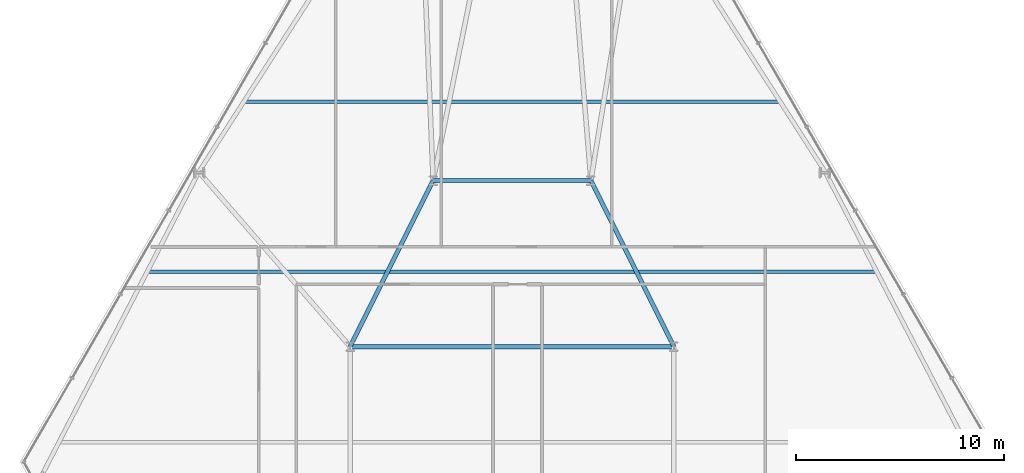
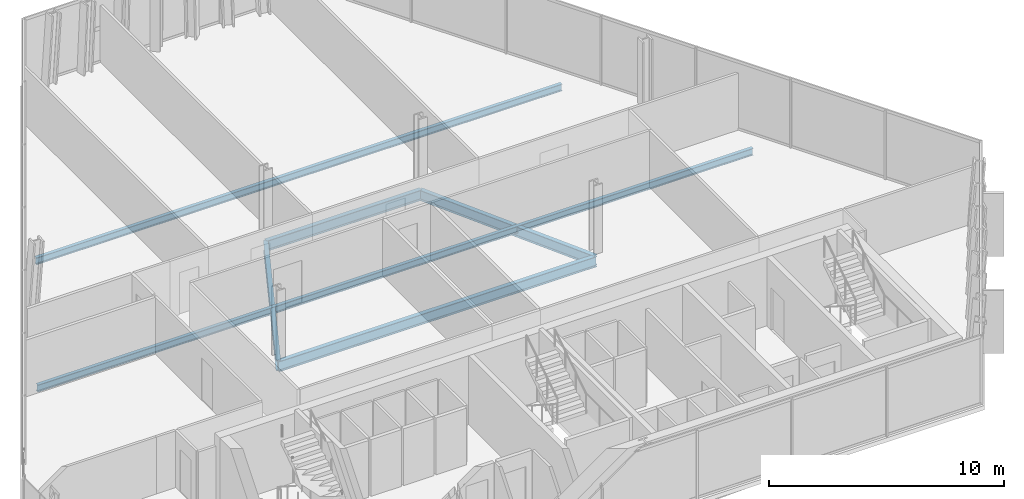
# One storey, part 15 of 33: 6 beams.
"""IFC4 building model written with IfcOpenShell, lengths in metres."""

from ifc_helpers import new_model, si_unit, direction, frame, origin, origin_2d, place, context, subcontext, project, spatial, i_section, extrude, material, material_profile, profile_set, type_object, element, save


model = new_model("IFC4")

# Units and contexts
model_context = context("Model", 3, precision=1e-05, world=origin(), true_north=direction((0.0, 1.0)))
body_context = subcontext(model_context, "Body", "Model", "MODEL_VIEW")
ifc_project = project(units=[si_unit("LENGTHUNIT", "METRE"), si_unit("AREAUNIT", "SQUARE_METRE"), si_unit("VOLUMEUNIT", "CUBIC_METRE"), si_unit("PLANEANGLEUNIT", "RADIAN"), si_unit("MASSUNIT", "GRAM", prefix="KILO")], contexts=[model_context])

# Site, building, storey
site_placement = place(None, origin())
site = spatial("IfcSite", under=ifc_project, at=site_placement, CompositionType="ELEMENT")
building_placement = place(site_placement, origin())
building = spatial("IfcBuilding", under=site, at=building_placement, Name="Ndaravel Arena Tower", CompositionType="ELEMENT")
storey_placement = place(building_placement, frame((0.0, 0.0, 89.199951171875)))
storey = spatial("IfcBuildingStorey", under=building, at=storey_placement, Name="L20", CompositionType="ELEMENT", Elevation=89.199951171875)

# Beams
ifc_material_1 = material(Name="Steel S355", Category="steel")
ifc_material_profile_1 = material_profile(ifc_material_1, i_section(OverallWidth=0.210693359375, OverallDepth=0.53955078125, WebThickness=0.01171875, FlangeThickness=0.018798828125, FilletRadius=0.0126953125, at=origin_2d()), Name="UB 533x210x109")
ifc_profile_set_1 = profile_set([ifc_material_profile_1], Name="Steel S355")
beam_type_1 = type_object("IfcBeamType", Name="BM-GIRD-UB533", PredefinedType="BEAM", material=ifc_profile_set_1)
beam_1_placement = place(storey_placement, frame((34.199951171875, 23.199951171875, -0.48974609375), z_axis=(1.0, 0.0, 0.0), x_axis=(0.0, 1.0, 0.0)))
element("IfcBeam", 1, at=beam_1_placement, inside=storey, type_object=beam_type_1, Name="L20 Spine Link Girder SLG-03", PredefinedType="BEAM", context=body_context, shape_type="SweptSolid", body=[
    extrude(i_section(OverallWidth=0.210693359375, OverallDepth=0.53955078125, WebThickness=0.01171875, FlangeThickness=0.018798828125, FilletRadius=0.0126953125, at=origin_2d()), origin(), (0.0, 0.0, 1.0), 15.60009765625),
])
for number, where, z_axis, x_axis, name in (
    (2, (34.199951171875, 23.199951171875, -0.48974609375), (0.4472135955, 0.894427191, 0.0), (-0.894427191, 0.4472135955, 0.0), "L20 Spine Link Girder SLG-04"),
    (3, (49.800048828125, 23.199951171875, -0.48974609375), (-0.4472135955, 0.894427191, 0.0), (-0.894427191, -0.4472135955, 0.0), "L20 Spine Link Girder SLG-05"),
):
    element("IfcBeam", number, at=place(storey_placement, frame(where, z_axis=z_axis, x_axis=x_axis)), inside=storey, type_object=beam_type_1, Name=name, PredefinedType="BEAM", context=body_context, shape_type="SweptSolid", body=[
        extrude(i_section(OverallWidth=0.210693359375, OverallDepth=0.53955078125, WebThickness=0.01171875, FlangeThickness=0.018798828125, FilletRadius=0.0126953125, at=origin_2d()), origin(), (0.0, 0.0, 1.0), 8.9443359375),
    ])
beam_2_placement = place(storey_placement, frame((38.199951171875, 31.199951171875, -0.48974609375), z_axis=(1.0, 0.0, 0.0), x_axis=(0.0, 1.0, 0.0)))
element("IfcBeam", 4, at=beam_2_placement, inside=storey, type_object=beam_type_1, Name="L20 Spine Link Girder SLG-06", PredefinedType="BEAM", context=body_context, shape_type="SweptSolid", body=[
    extrude(i_section(OverallWidth=0.210693359375, OverallDepth=0.53955078125, WebThickness=0.01171875, FlangeThickness=0.018798828125, FilletRadius=0.0126953125, at=origin_2d()), origin(), (0.0, 0.0, 1.0), 7.60009765625),
])
ifc_material_2 = material(Name="Steel S355", Category="steel")
ifc_material_profile_2 = material_profile(ifc_material_2, i_section(OverallWidth=0.169921875, OverallDepth=0.360107421875, WebThickness=0.008056640625, FlangeThickness=0.0126953125, FilletRadius=0.01806640625, at=origin_2d()), Name="IPE 360")
ifc_profile_set_2 = profile_set([ifc_material_profile_2], Name="Steel S355")
beam_type_2 = type_object("IfcBeamType", Name="BM-JOIST-IPE360", PredefinedType="JOIST", material=ifc_profile_set_2)
beam_3_placement = place(storey_placement, frame((24.421630859375, 26.800048828125, -0.39990234375), z_axis=(1.0, 0.0, 0.0), x_axis=(0.0, 1.0, 0.0)))
element("IfcBeam", 5, at=beam_3_placement, inside=storey, type_object=beam_type_2, Name="L20 Composite Floor Joist FJ-02", PredefinedType="JOIST", context=body_context, shape_type="SweptSolid", body=[
    extrude(i_section(OverallWidth=0.169921875, OverallDepth=0.360107421875, WebThickness=0.008056640625, FlangeThickness=0.0126953125, FilletRadius=0.01806640625, at=origin_2d()), origin(), (0.0, 0.0, 1.0), 35.15673828125),
])
beam_4_placement = place(storey_placement, frame((29.081787109375, 35.0, -0.39990234375), z_axis=(1.0, 0.0, 0.0), x_axis=(0.0, 1.0, 0.0)))
element("IfcBeam", 6, at=beam_4_placement, inside=storey, type_object=beam_type_2, Name="L20 Composite Floor Joist FJ-03", PredefinedType="JOIST", context=body_context, shape_type="SweptSolid", body=[
    extrude(i_section(OverallWidth=0.169921875, OverallDepth=0.360107421875, WebThickness=0.008056640625, FlangeThickness=0.0126953125, FilletRadius=0.01806640625, at=origin_2d()), origin(), (0.0, 0.0, 1.0), 25.83642578125),
])

save(model, "model.ifc")
